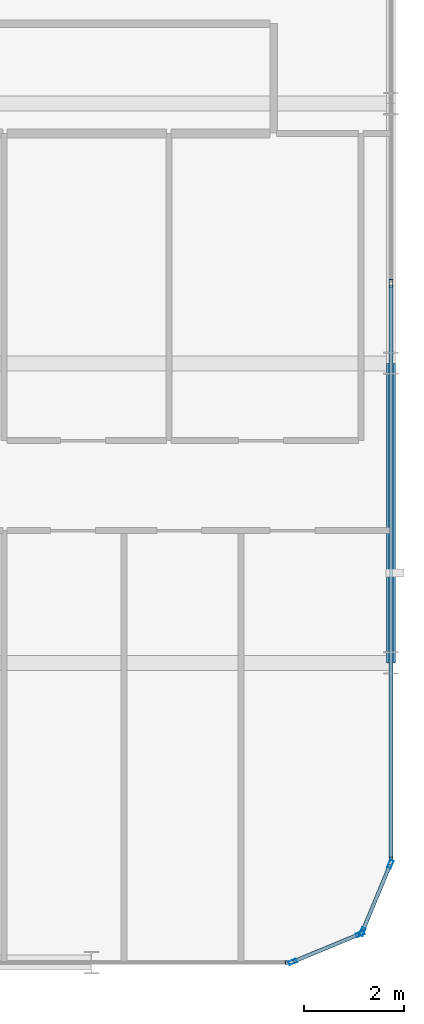
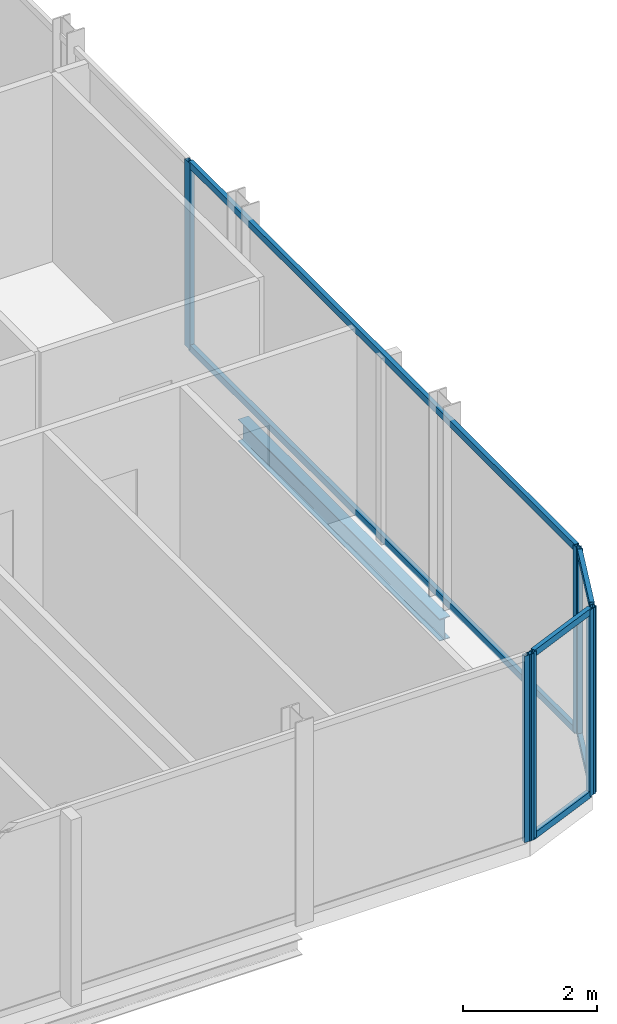
# One storey, part 12 of 29: 13 members, 1 beam, 4 elements without a shape of their own.
"""IFC4 building model written with IfcOpenShell, lengths in metres."""

from ifc_helpers import new_model, si_unit, direction, frame, origin, origin_2d, place, context, subcontext, project, spatial, hollow_rectangle, i_section, extrude, material, layer, layer_set, material_profile, profile_set, type_object, element, aggregate, save


model = new_model("IFC4")

# Units and contexts
model_context = context("Model", 3, precision=1e-05, world=origin(), true_north=direction((0.0, 1.0)))
body_context = subcontext(model_context, "Body", "Model", "MODEL_VIEW")
ifc_project = project(units=[si_unit("LENGTHUNIT", "METRE"), si_unit("AREAUNIT", "SQUARE_METRE"), si_unit("VOLUMEUNIT", "CUBIC_METRE"), si_unit("PLANEANGLEUNIT", "RADIAN"), si_unit("MASSUNIT", "GRAM", prefix="KILO")], contexts=[model_context])

# Site, building, storey
site_placement = place(None, origin())
site = spatial("IfcSite", under=ifc_project, at=site_placement, CompositionType="ELEMENT")
building_placement = place(site_placement, origin())
building = spatial("IfcBuilding", under=site, at=building_placement, Name="Keshet Zoharim Tower", CompositionType="ELEMENT")
storey_placement = place(building_placement, frame((0.0, 0.0, 195.800048828125)))
storey = spatial("IfcBuildingStorey", under=building, at=storey_placement, Name="L48", CompositionType="ELEMENT", Elevation=195.800048828125)

# Beam
ifc_material_1 = material(Name="Steel S355", Category="steel")
ifc_material_profile_1 = material_profile(ifc_material_1, i_section(OverallWidth=0.179931640625, OverallDepth=0.39990234375, WebThickness=0.008544921875, FlangeThickness=0.013427734375, FilletRadius=0.02099609375, at=origin_2d()), Name="IPE400")
ifc_profile_set_1 = profile_set([ifc_material_profile_1], Name="Steel S355")
beam_type = type_object("IfcBeamType", Name="BM-PRI-IP400", PredefinedType="BEAM", material=ifc_profile_set_1)
beam_placement = place(storey_placement, frame((57.0, 6.699951171875, -0.510009765625), z_axis=(0.0, 1.0, 0.0), x_axis=(-1.0, 0.0, 0.0)))
element("IfcBeam", 1, at=beam_placement, inside=storey, type_object=beam_type, Name="L48 Primary Girder Y-013", PredefinedType="BEAM", context=body_context, shape_type="SweptSolid", body=[
    extrude(i_section(OverallWidth=0.179931640625, OverallDepth=0.39990234375, WebThickness=0.008544921875, FlangeThickness=0.013427734375, FilletRadius=0.02099609375, at=origin_2d()), origin(), (0.0, 0.0, 1.0), 6.0),
])

# Curtain wall, members
ifc_material_2 = material(Name="Aluminium 6063-T6", Category="aluminium")
ifc_layer = layer(ifc_material_2, 0.139892578125)
ifc_layer_set = layer_set([ifc_layer], Name="Aluminium 6063-T6")
curtain_wall_type = type_object("IfcCurtainWallType", Name="CW-SYS-05", PredefinedType="NOTDEFINED", material=ifc_layer_set)
curtain_wall_1_placement = place(storey_placement, origin())
curtain_wall_1 = element("IfcCurtainWall", 2, at=curtain_wall_1_placement, inside=storey, type_object=curtain_wall_type, Name="L48 Unitised Curtain Wall 03", PredefinedType="NOTDEFINED")
ifc_material_profile_2 = material_profile(ifc_material_2, hollow_rectangle(XDim=0.074951171875, YDim=0.159912109375, WallThickness=0.00390625, at=origin_2d()), Name="MUL-75x160")
ifc_profile_set_2 = profile_set([ifc_material_profile_2], Name="Aluminium 6063-T6")
member_type_1 = type_object("IfcMemberType", Name="CWM-M15", PredefinedType="MULLION", material=ifc_profile_set_2)
member_1_placement = place(storey_placement, frame((57.0, 14.300048828125, 0.0), z_axis=(0.0, 0.0, 1.0), x_axis=(1.0, 0.0, 0.0)))
member_1 = element("IfcMember", 3, at=member_1_placement, type_object=member_type_1, Name="CW-05 mullion 2", PredefinedType="MULLION", context=body_context, shape_type="SweptSolid", body=[
    extrude(hollow_rectangle(XDim=0.074951171875, YDim=0.159912109375, WallThickness=0.00390625, at=origin_2d()), origin(), (0.0, 0.0, 1.0), 3.389892578125),
])
member_2_placement = place(storey_placement, frame((57.0, 2.735107421875, 0.0), z_axis=(0.0, 0.0, 1.0), x_axis=(1.0, 0.0, 0.0)))
member_2 = element("IfcMember", 4, at=member_2_placement, type_object=member_type_1, Name="CW-05 mullion 3", PredefinedType="MULLION", context=body_context, shape_type="SweptSolid", body=[
    extrude(hollow_rectangle(XDim=0.074951171875, YDim=0.159912109375, WallThickness=0.00390625, at=origin_2d()), origin(), (0.0, 0.0, 1.0), 3.389892578125),
])

curtain_wall_2_placement = place(storey_placement, origin())
curtain_wall_2 = element("IfcCurtainWall", 5, at=curtain_wall_2_placement, inside=storey, type_object=curtain_wall_type, Name="L48 Unitised Curtain Wall 04", PredefinedType="NOTDEFINED")
member_3_placement = place(storey_placement, frame((56.986572265625, 2.667724609375, 0.0), z_axis=(0.0, 0.0, 1.0), x_axis=(0.92380975372, -0.382851849847, 0.0)))
member_3 = element("IfcMember", 6, at=member_3_placement, type_object=member_type_1, Name="CW-05 mullion 1", PredefinedType="MULLION", context=body_context, shape_type="SweptSolid", body=[
    extrude(hollow_rectangle(XDim=0.074951171875, YDim=0.159912109375, WallThickness=0.00390625, at=origin_2d()), origin(), (0.0, 0.0, 1.0), 3.389892578125),
])
member_4_placement = place(storey_placement, frame((56.427490234375, 1.318359375, 0.0), z_axis=(0.0, 0.0, 1.0), x_axis=(0.92380975372, -0.382851849847, 0.0)))
member_4 = element("IfcMember", 7, at=member_4_placement, type_object=member_type_1, Name="CW-05 mullion 2", PredefinedType="MULLION", context=body_context, shape_type="SweptSolid", body=[
    extrude(hollow_rectangle(XDim=0.074951171875, YDim=0.159912109375, WallThickness=0.00390625, at=origin_2d()), origin(), (0.0, 0.0, 1.0), 3.389892578125),
])

curtain_wall_3_placement = place(storey_placement, origin())
curtain_wall_3 = element("IfcCurtainWall", 8, at=curtain_wall_3_placement, inside=storey, type_object=curtain_wall_type, Name="L48 Unitised Curtain Wall 05", PredefinedType="NOTDEFINED")
member_5_placement = place(storey_placement, frame((56.381591796875, 1.272705078125, 0.0), z_axis=(0.0, 0.0, 1.0), x_axis=(0.382851849847, -0.92380975372, 0.0)))
member_5 = element("IfcMember", 9, at=member_5_placement, type_object=member_type_1, Name="CW-05 mullion 1", PredefinedType="MULLION", context=body_context, shape_type="SweptSolid", body=[
    extrude(hollow_rectangle(XDim=0.074951171875, YDim=0.159912109375, WallThickness=0.00390625, at=origin_2d()), origin(), (0.0, 0.0, 1.0), 3.389892578125),
])
member_6_placement = place(storey_placement, frame((55.0322265625, 0.71337890625, 0.0), z_axis=(0.0, 0.0, 1.0), x_axis=(0.382851849847, -0.92380975372, 0.0)))
member_6 = element("IfcMember", 10, at=member_6_placement, type_object=member_type_1, Name="CW-05 mullion 2", PredefinedType="MULLION", context=body_context, shape_type="SweptSolid", body=[
    extrude(hollow_rectangle(XDim=0.074951171875, YDim=0.159912109375, WallThickness=0.00390625, at=origin_2d()), origin(), (0.0, 0.0, 1.0), 3.389892578125),
])

# Curtain wall, member
curtain_wall_4_placement = place(storey_placement, origin())
curtain_wall_4 = element("IfcCurtainWall", 11, at=curtain_wall_4_placement, inside=storey, type_object=curtain_wall_type, Name="L48 Unitised Curtain Wall 06", PredefinedType="NOTDEFINED")
member_7_placement = place(storey_placement, frame((54.965087890625, 0.699951171875, 0.0), z_axis=(0.0, 0.0, 1.0), x_axis=(0.0, -1.0, 0.0)))
member_7 = element("IfcMember", 12, at=member_7_placement, type_object=member_type_1, Name="CW-05 mullion 1", PredefinedType="MULLION", context=body_context, shape_type="SweptSolid", body=[
    extrude(hollow_rectangle(XDim=0.074951171875, YDim=0.159912109375, WallThickness=0.00390625, at=origin_2d()), origin(), (0.0, 0.0, 1.0), 3.389892578125),
])
aggregate(curtain_wall_4, [member_7])

# Member
ifc_material_profile_3 = material_profile(ifc_material_2, hollow_rectangle(XDim=0.074951171875, YDim=0.1201171875, WallThickness=0.00390625, at=origin_2d()), Name="TRN-75x120")
ifc_profile_set_3 = profile_set([ifc_material_profile_3], Name="Aluminium 6063-T6")
member_type_2 = type_object("IfcMemberType", Name="CWT-T12", PredefinedType="USERDEFINED", material=ifc_profile_set_3)
member_8_placement = place(storey_placement, frame((57.0, 14.264892578125, 0.034912109375), z_axis=(0.0, -1.0, 0.0), x_axis=(1.0, 0.0, 0.0)))
member_8 = element("IfcMember", 13, at=member_8_placement, type_object=member_type_2, Name="CW-05 transom 2.1", ObjectType="TRANSOM", PredefinedType="USERDEFINED", context=body_context, shape_type="SweptSolid", body=[
    extrude(hollow_rectangle(XDim=0.074951171875, YDim=0.1201171875, WallThickness=0.00390625, at=origin_2d()), origin(), (0.0, 0.0, 1.0), 11.494873046875),
])

member_9_placement = place(storey_placement, frame((57.0, 14.264892578125, 3.35498046875), z_axis=(0.0, -1.0, 0.0), x_axis=(1.0, 0.0, 0.0)))
member_9 = element("IfcMember", 14, at=member_9_placement, type_object=member_type_2, Name="CW-05 transom 2.2", ObjectType="TRANSOM", PredefinedType="USERDEFINED", context=body_context, shape_type="SweptSolid", body=[
    extrude(hollow_rectangle(XDim=0.074951171875, YDim=0.1201171875, WallThickness=0.00390625, at=origin_2d()), origin(), (0.0, 0.0, 1.0), 11.494873046875),
])

aggregate(curtain_wall_1, [member_1, member_2, member_8, member_9])

member_10_placement = place(storey_placement, frame((56.97314453125, 2.63525390625, 0.034912109375), z_axis=(-0.382744609247, -0.923854189844, 0.0), x_axis=(0.923854189844, -0.382744609247, 0.0)))
member_10 = element("IfcMember", 15, at=member_10_placement, type_object=member_type_2, Name="CW-05 transom 1.1", ObjectType="TRANSOM", PredefinedType="USERDEFINED", context=body_context, shape_type="SweptSolid", body=[
    extrude(hollow_rectangle(XDim=0.074951171875, YDim=0.1201171875, WallThickness=0.00390625, at=origin_2d()), origin(), (0.0, 0.0, 1.0), 1.390625),
])

member_11_placement = place(storey_placement, frame((56.97314453125, 2.63525390625, 3.35498046875), z_axis=(-0.382744609247, -0.923854189844, 0.0), x_axis=(0.923854189844, -0.382744609247, 0.0)))
member_11 = element("IfcMember", 16, at=member_11_placement, type_object=member_type_2, Name="CW-05 transom 1.2", ObjectType="TRANSOM", PredefinedType="USERDEFINED", context=body_context, shape_type="SweptSolid", body=[
    extrude(hollow_rectangle(XDim=0.074951171875, YDim=0.1201171875, WallThickness=0.00390625, at=origin_2d()), origin(), (0.0, 0.0, 1.0), 1.390625),
])

aggregate(curtain_wall_2, [member_3, member_4, member_10, member_11])

member_12_placement = place(storey_placement, frame((56.349365234375, 1.25927734375, 0.034912109375), z_axis=(-0.92379209995, -0.382894445076, 0.0), x_axis=(0.382894445076, -0.92379209995, 0.0)))
member_12 = element("IfcMember", 17, at=member_12_placement, type_object=member_type_2, Name="CW-05 transom 1.1", ObjectType="TRANSOM", PredefinedType="USERDEFINED", context=body_context, shape_type="SweptSolid", body=[
    extrude(hollow_rectangle(XDim=0.074951171875, YDim=0.1201171875, WallThickness=0.00390625, at=origin_2d()), origin(), (0.0, 0.0, 1.0), 1.390625),
])

member_13_placement = place(storey_placement, frame((56.349365234375, 1.25927734375, 3.35498046875), z_axis=(-0.92379209995, -0.382894445076, 0.0), x_axis=(0.382894445076, -0.92379209995, 0.0)))
member_13 = element("IfcMember", 18, at=member_13_placement, type_object=member_type_2, Name="CW-05 transom 1.2", ObjectType="TRANSOM", PredefinedType="USERDEFINED", context=body_context, shape_type="SweptSolid", body=[
    extrude(hollow_rectangle(XDim=0.074951171875, YDim=0.1201171875, WallThickness=0.00390625, at=origin_2d()), origin(), (0.0, 0.0, 1.0), 1.390625),
])

aggregate(curtain_wall_3, [member_5, member_6, member_12, member_13])

save(model, "model.ifc")
